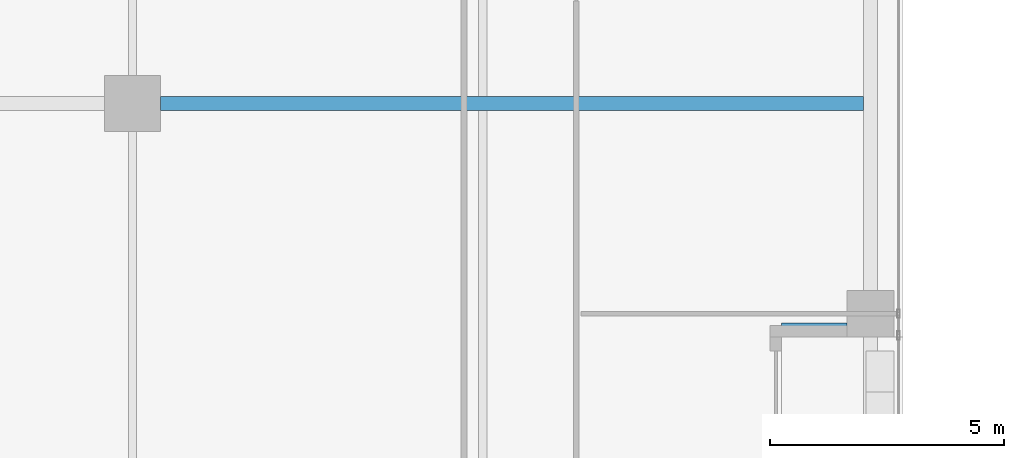
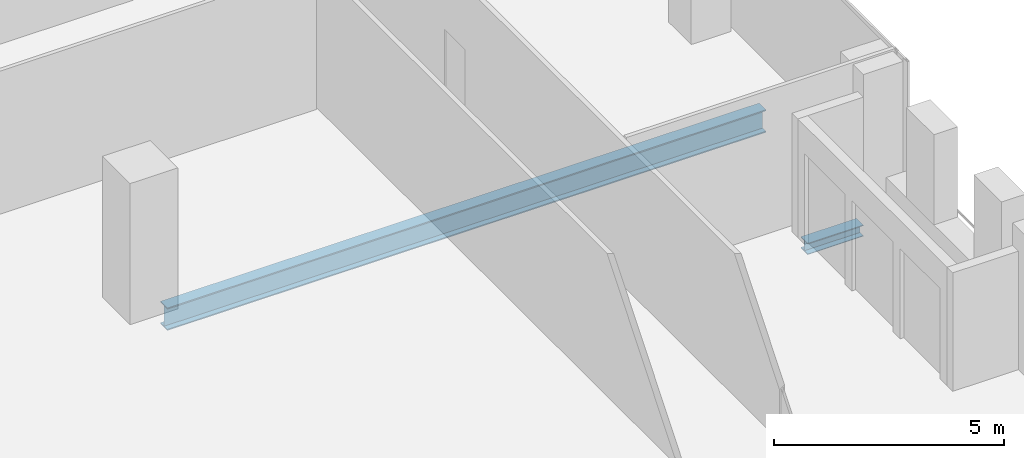
# One storey, part 15 of 40: 2 beams.
"""IFC4 building model written with IfcOpenShell, lengths in metres."""

from ifc_helpers import new_model, si_unit, direction, frame, origin, origin_2d, place, context, subcontext, project, spatial, i_section, extrude, source, transform, mapped, material, material_profile, profile_set, type_object, element, save


model = new_model("IFC4")

# Units and contexts
model_context = context("Model", 3, precision=1e-05, world=origin(), true_north=direction((0.0, 1.0)))
body_context = subcontext(model_context, "Body", "Model", "MODEL_VIEW")
ifc_project = project(units=[si_unit("LENGTHUNIT", "METRE"), si_unit("AREAUNIT", "SQUARE_METRE"), si_unit("VOLUMEUNIT", "CUBIC_METRE"), si_unit("PLANEANGLEUNIT", "RADIAN"), si_unit("MASSUNIT", "GRAM", prefix="KILO")], contexts=[model_context])

# Site, building, storey
site_placement = place(None, origin())
site = spatial("IfcSite", under=ifc_project, at=site_placement, CompositionType="ELEMENT")
building_placement = place(site_placement, origin())
building = spatial("IfcBuilding", under=site, at=building_placement, Name="Khomas Fold Tower", CompositionType="ELEMENT")
storey_placement = place(building_placement, frame((0.0, 0.0, 204.699951171875)))
storey = spatial("IfcBuildingStorey", under=building, at=storey_placement, Name="L45", CompositionType="ELEMENT", Elevation=204.699951171875)

# Beams
ifc_material_1 = material(Name="Steel S355", Category="steel")
ifc_material_profile_1 = material_profile(ifc_material_1, i_section(OverallWidth=0.300048828125, OverallDepth=0.60009765625, WebThickness=0.015380859375, FlangeThickness=0.030029296875, at=origin_2d()), Name="HE 600 B")
ifc_profile_set_1 = profile_set([ifc_material_profile_1], Name="Steel S355")
beam_type_1 = type_object("IfcBeamType", Name="HE 600 B beam GB5", PredefinedType="BEAM", material=ifc_profile_set_1)
shared_shape_1 = source(origin(), body_context, "Body", "SweptSolid", [
    extrude(i_section(OverallWidth=0.300048828125, OverallDepth=0.60009765625, WebThickness=0.015380859375, FlangeThickness=0.030029296875, at=origin_2d()), origin(), (0.0, 0.0, 1.0), 15.0498046875),
])
beam_1_placement = place(storey_placement, frame((35.10009765625, 31.5, -0.550048828125), z_axis=(1.0, 0.0, 0.0), x_axis=(0.0, 1.0, 0.0)))
element("IfcBeam", 1, at=beam_1_placement, inside=storey, type_object=beam_type_1, Name="GB5", PredefinedType="BEAM", context=body_context, shape_type="MappedRepresentation", body=[
    mapped(shared_shape_1, transform((0.0, 0.0, 0.0))),
])
ifc_material_2 = material(Name="Steel S355", Category="steel")
ifc_material_profile_2 = material_profile(ifc_material_2, i_section(OverallWidth=0.300048828125, OverallDepth=0.300048828125, WebThickness=0.010986328125, FlangeThickness=0.01904296875, at=origin_2d()), Name="HE 300 B")
ifc_profile_set_2 = profile_set([ifc_material_profile_2], Name="Steel S355")
beam_type_2 = type_object("IfcBeamType", Name="HE 300 B beam BB1", PredefinedType="BEAM", material=ifc_profile_set_2)
shared_shape_2 = source(origin(), body_context, "Body", "SweptSolid", [
    extrude(i_section(OverallWidth=0.300048828125, OverallDepth=0.300048828125, WebThickness=0.010986328125, FlangeThickness=0.01904296875, at=origin_2d()), origin(), (0.0, 0.0, 1.0), 1.400146484375),
])
beam_2_placement = place(storey_placement, frame((48.39990234375, 26.64990234375, -0.39990234375), z_axis=(1.0, 0.0, 0.0), x_axis=(0.0, 1.0, 0.0)))
element("IfcBeam", 2, at=beam_2_placement, inside=storey, type_object=beam_type_2, Name="BB1", PredefinedType="BEAM", context=body_context, shape_type="MappedRepresentation", body=[
    mapped(shared_shape_2, transform((0.0, 0.0, 0.0))),
])

save(model, "model.ifc")
